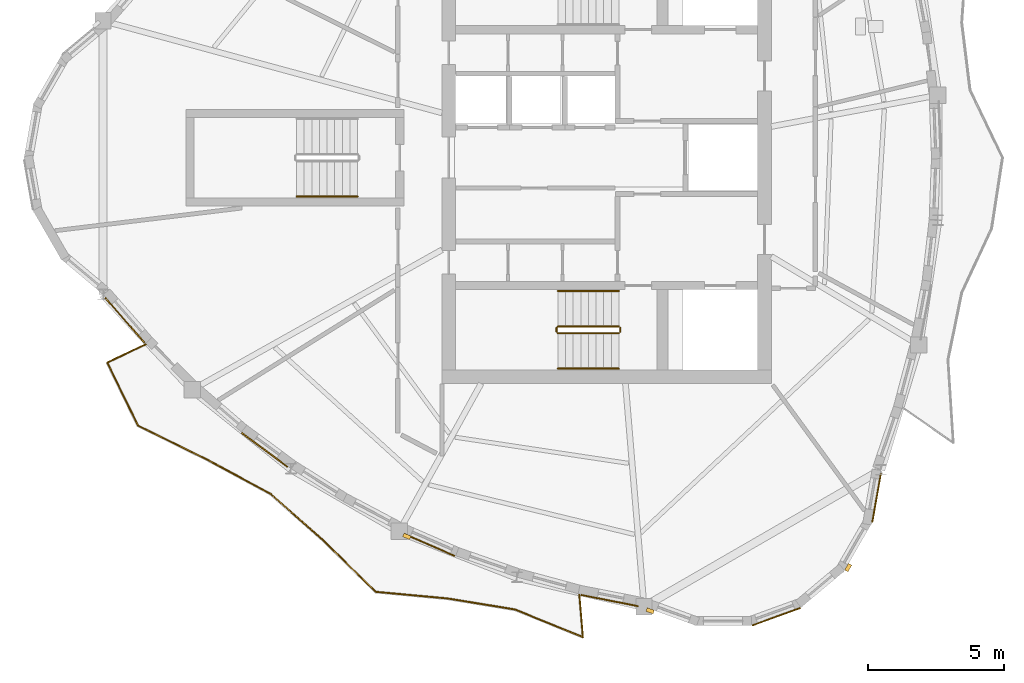
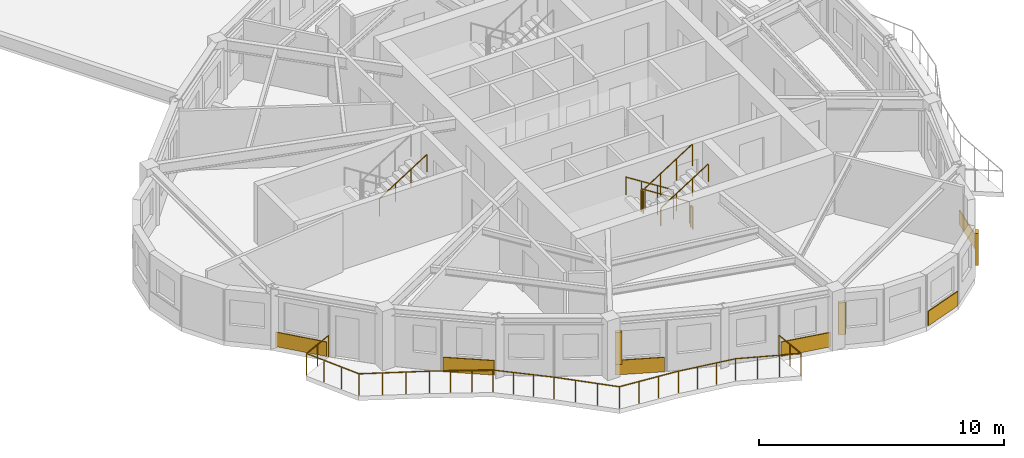
# One storey, part 8 of 11: 8 railings, 6 coverings, 3 shading devices.
"""IFC4 building model written with IfcOpenShell, lengths in metres."""

from ifc_helpers import new_model, si_unit, direction, frame, origin, origin_2d, place, context, subcontext, project, spatial, rectangle, circle, extrude, source, transform, mapped, material, layer, layer_set, type_object, element, save


model = new_model("IFC4")

# Units and contexts
model_context = context("Model", 3, precision=1e-05, world=origin(), true_north=direction((0.0, 1.0)))
body_context = subcontext(model_context, "Body", "Model", "MODEL_VIEW")
ifc_project = project(units=[si_unit("LENGTHUNIT", "METRE"), si_unit("AREAUNIT", "SQUARE_METRE"), si_unit("VOLUMEUNIT", "CUBIC_METRE"), si_unit("PLANEANGLEUNIT", "RADIAN"), si_unit("MASSUNIT", "GRAM", prefix="KILO")], contexts=[model_context])

# Site, building, storey
site_placement = place(None, origin())
site = spatial("IfcSite", under=ifc_project, at=site_placement, CompositionType="ELEMENT")
building_placement = place(site_placement, origin())
building = spatial("IfcBuilding", under=site, at=building_placement, Name="Qafzar Sky-Pleat Residences", CompositionType="ELEMENT")
storey_placement = place(building_placement, frame((0.0, 0.0, 214.800048828125)))
storey = spatial("IfcBuildingStorey", under=building, at=storey_placement, Name="L64", CompositionType="ELEMENT", Elevation=214.800048828125)

# Shading devices
ifc_material_1 = material(Name="Honed Riyadh limestone solar fin", Category="masonry")
ifc_layer_1 = layer(ifc_material_1, 0.139892578125)
ifc_layer_set_1 = layer_set([ifc_layer_1], Name="Honed Riyadh limestone solar fin")
shading_device_type = type_object("IfcShadingDeviceType", Name="SHD-FIN-STONE", PredefinedType="SHUTTER", material=ifc_layer_set_1)
shared_shape_1 = source(origin(), body_context, "Body", "SweptSolid", [
    extrude(rectangle(XDim=0.139892578125, YDim=0.280029296875, at=origin_2d()), origin(), (0.0, 0.0, 1.0), 1.60009765625),
])
for number, where, z_axis, x_axis, name in (
    (1, (23.0087890625, 12.0869140625, 0.599853515625), (0.0, 0.0, 1.0), (-0.398726111415, -0.917070056253, 0.0), "L64 Limestone Solar Fin 13"),
    (2, (31.947998046875, 9.351806640625, 0.599853515625), (0.0, 0.0, 1.0), (-0.342010122116, -0.939696268148, 0.0), "L64 Limestone Solar Fin 17"),
    (3, (39.225341796875, 10.939453125, 0.599853515625), (0.0, 0.0, 1.0), (0.86603181203, -0.499988900429, 0.0), "L64 Limestone Solar Fin 21"),
):
    element("IfcShadingDevice", number, at=place(storey_placement, frame(where, z_axis=z_axis, x_axis=x_axis)), inside=storey, type_object=shading_device_type, Name=name, PredefinedType="SHUTTER", context=body_context, shape_type="MappedRepresentation", body=[
        mapped(shared_shape_1, transform((0.0, 0.0, 0.0), x_axis=(1.0, 0.0, 0.0), y_axis=(0.0, 1.0, 0.0), z_axis=(0.0, 0.0, 1.0), scale=1.0)),
    ])

# Coverings
ifc_material_2 = material(Name="Honed Riyadh Tuwaiq limestone cladding", Category="masonry")
ifc_layer_2 = layer(ifc_material_2, 0.044921875)
ifc_layer_set_2 = layer_set([ifc_layer_2], Name="Honed Riyadh Tuwaiq limestone cladding")
covering_type = type_object("IfcCoveringType", Name="COV-CLAD-STONE", PredefinedType="CLADDING", material=ifc_layer_set_2)
shared_shape_2 = source(origin(), body_context, "Body", "SweptSolid", [
    extrude(rectangle(XDim=1.8291015625, YDim=0.044921875, at=origin_2d()), origin(), (0.0, 0.0, 1.0), 0.719970703125),
])
covering_1_placement = place(storey_placement, frame((40.2666015625, 13.5009765625, 0.02001953125), z_axis=(0.0, 0.0, 1.0), x_axis=(0.173687091871, 0.984800890595, 0.0)))
element("IfcCovering", 4, at=covering_1_placement, inside=storey, type_object=covering_type, Name="L64 Riyadh Limestone Spandrel Cladding 22", PredefinedType="CLADDING", context=body_context, shape_type="MappedRepresentation", body=[
    mapped(shared_shape_2, transform((0.0, 0.0, 0.0), x_axis=(1.0, 0.0, 0.0), y_axis=(0.0, 1.0, 0.0), z_axis=(0.0, 0.0, 1.0), scale=1.0)),
])
shared_shape_3 = source(origin(), body_context, "Body", "SweptSolid", [
    extrude(rectangle(XDim=1.881103515625, YDim=0.044921875, at=origin_2d()), origin(), (0.0, 0.0, 1.0), 0.719970703125),
])
covering_2_placement = place(storey_placement, frame((36.586181640625, 9.13720703125, 0.02001953125), z_axis=(0.0, 0.0, 1.0), x_axis=(0.939709584691, 0.341973531784, 0.0)))
element("IfcCovering", 5, at=covering_2_placement, inside=storey, type_object=covering_type, Name="L64 Riyadh Limestone Spandrel Cladding 19", PredefinedType="CLADDING", context=body_context, shape_type="MappedRepresentation", body=[
    mapped(shared_shape_3, transform((0.0, 0.0, 0.0), x_axis=(1.0, 0.0, 0.0), y_axis=(0.0, 1.0, 0.0), z_axis=(0.0, 0.0, 1.0), scale=1.0)),
])
shared_shape_4 = source(origin(), body_context, "Body", "SweptSolid", [
    extrude(rectangle(XDim=2.135986328125, YDim=0.044921875, at=origin_2d()), origin(), (0.0, 0.0, 1.0), 0.719970703125),
])
covering_3_placement = place(storey_placement, frame((30.468017578125, 9.726806640625, 0.02001953125), z_axis=(0.0, 0.0, 1.0), x_axis=(0.981228323403, -0.192849623678, 0.0)))
element("IfcCovering", 6, at=covering_3_placement, inside=storey, type_object=covering_type, Name="L64 Riyadh Limestone Spandrel Cladding 16", PredefinedType="CLADDING", context=body_context, shape_type="MappedRepresentation", body=[
    mapped(shared_shape_4, transform((0.0, 0.0, 0.0), x_axis=(1.0, 0.0, 0.0), y_axis=(0.0, 1.0, 0.0), z_axis=(0.0, 0.0, 1.0), scale=1.0)),
])

# Railing
ifc_material_3 = material(Name="Laminated glass and bronze steel balustrade", Category="steel")
railing_type_1 = type_object("IfcRailingType", Name="RAIL-BAL-1100", PredefinedType="BALUSTRADE", material=ifc_material_3)
shared_shape_5 = source(origin(), body_context, "Body", "SweptSolid", [
    extrude(circle(Radius=0.02392578125, at=origin_2d()), frame((0.0, 0.0, 1.076171875), z_axis=(-0.904790644591, -0.425856653654, 0.0), x_axis=(0.425856653654, -0.904790644591, 0.0)), (0.0, 0.0, 1.0), 1.57763671875),
    extrude(circle(Radius=0.02392578125, at=origin_2d()), frame((-1.427490234375, -0.671875, 1.076171875), z_axis=(0.437455374248, -0.899240121181, 0.0), x_axis=(0.899240121181, 0.437455374248, 0.0)), (0.0, 0.0, 1.0), 2.578857421875),
    extrude(circle(Radius=0.02392578125, at=origin_2d()), frame((-0.29931640625, -2.990966796875, 1.076171875), z_axis=(0.897107090323, -0.441813160162, 0.0), x_axis=(0.441813160162, 0.897107090323, 0.0)), (0.0, 0.0, 1.0), 2.879638671875),
    extrude(circle(Radius=0.02392578125, at=origin_2d()), frame((2.283935546875, -4.26318359375, 1.076171875), z_axis=(0.880344319941, -0.474335196193, 0.0), x_axis=(0.474335196193, 0.880344319941, 0.0)), (0.0, 0.0, 1.0), 2.59765625),
    extrude(circle(Radius=0.02392578125, at=origin_2d()), frame((4.57080078125, -5.495361328125, 1.076171875), z_axis=(0.749725239558, -0.661749246445, 0.0), x_axis=(0.661749246445, 0.749725239558, 0.0)), (0.0, 0.0, 1.0), 2.53076171875),
    extrude(circle(Radius=0.02392578125, at=origin_2d()), frame((6.46826171875, -7.170166015625, 1.076171875), z_axis=(0.714863884807, -0.6992636314, 0.0), x_axis=(0.6992636314, 0.714863884807, 0.0)), (0.0, 0.0, 1.0), 2.75439453125),
    extrude(circle(Radius=0.02392578125, at=origin_2d()), frame((8.437255859375, -9.09619140625, 1.076171875), z_axis=(0.995744742479, -0.092154261023, 0.0), x_axis=(0.092154261023, 0.995744742479, 0.0)), (0.0, 0.0, 1.0), 2.65185546875),
    extrude(circle(Radius=0.02392578125, at=origin_2d()), frame((11.077880859375, -9.340576171875, 1.076171875), z_axis=(0.986916711973, -0.16123090159, 0.0), x_axis=(0.16123090159, 0.986916711973, 0.0)), (0.0, 0.0, 1.0), 2.5),
    extrude(circle(Radius=0.02392578125, at=origin_2d()), frame((13.545166015625, -9.74365234375, 1.076171875), z_axis=(0.926402453337, -0.376534851576, 0.0), x_axis=(0.376534851576, 0.926402453337, 0.0)), (0.0, 0.0, 1.0), 2.697265625),
    extrude(circle(Radius=0.02392578125, at=origin_2d()), frame((16.0439453125, -10.75927734375, 1.076171875), z_axis=(-0.083544817764, 0.996504020777, 0.0), x_axis=(-0.996504020777, -0.083544817764, 0.0)), (0.0, 0.0, 1.0), 1.578125),
    extrude(circle(Radius=0.02099609375, at=origin_2d()), origin(), (0.0, 0.0, 1.0), 1.052001953125),
    extrude(circle(Radius=0.02099609375, at=origin_2d()), frame((-0.7138671875, -0.3359375, 0.0)), (0.0, 0.0, 1.0), 1.052001953125),
    extrude(circle(Radius=0.02099609375, at=origin_2d()), frame((-1.427490234375, -0.671875, 0.0)), (0.0, 0.0, 1.0), 1.052001953125),
    extrude(circle(Radius=0.02099609375, at=origin_2d()), frame((-1.051513671875, -1.44482421875, 0.0)), (0.0, 0.0, 1.0), 1.052001953125),
    extrude(circle(Radius=0.02099609375, at=origin_2d()), frame((-0.67529296875, -2.218017578125, 0.0)), (0.0, 0.0, 1.0), 1.052001953125),
    extrude(circle(Radius=0.02099609375, at=origin_2d()), frame((-0.29931640625, -2.990966796875, 0.0)), (0.0, 0.0, 1.0), 1.052001953125),
    extrude(circle(Radius=0.02099609375, at=origin_2d()), frame((0.561767578125, -3.4150390625, 0.0)), (0.0, 0.0, 1.0), 1.052001953125),
    extrude(circle(Radius=0.02099609375, at=origin_2d()), frame((1.4228515625, -3.839111328125, 0.0)), (0.0, 0.0, 1.0), 1.052001953125),
    extrude(circle(Radius=0.02099609375, at=origin_2d()), frame((2.283935546875, -4.26318359375, 0.0)), (0.0, 0.0, 1.0), 1.052001953125),
    extrude(circle(Radius=0.02099609375, at=origin_2d()), frame((3.046142578125, -4.673828125, 0.0)), (0.0, 0.0, 1.0), 1.052001953125),
    extrude(circle(Radius=0.02099609375, at=origin_2d()), frame((3.80859375, -5.084716796875, 0.0)), (0.0, 0.0, 1.0), 1.052001953125),
    extrude(circle(Radius=0.02099609375, at=origin_2d()), frame((4.57080078125, -5.495361328125, 0.0)), (0.0, 0.0, 1.0), 1.052001953125),
    extrude(circle(Radius=0.02099609375, at=origin_2d()), frame((5.203369140625, -6.0537109375, 0.0)), (0.0, 0.0, 1.0), 1.052001953125),
    extrude(circle(Radius=0.02099609375, at=origin_2d()), frame((5.835693359375, -6.61181640625, 0.0)), (0.0, 0.0, 1.0), 1.052001953125),
    extrude(circle(Radius=0.02099609375, at=origin_2d()), frame((6.46826171875, -7.170166015625, 0.0)), (0.0, 0.0, 1.0), 1.052001953125),
    extrude(circle(Radius=0.02099609375, at=origin_2d()), frame((7.12451171875, -7.812255859375, 0.0)), (0.0, 0.0, 1.0), 1.052001953125),
    extrude(circle(Radius=0.02099609375, at=origin_2d()), frame((7.781005859375, -8.4541015625, 0.0)), (0.0, 0.0, 1.0), 1.052001953125),
    extrude(circle(Radius=0.02099609375, at=origin_2d()), frame((8.437255859375, -9.09619140625, 0.0)), (0.0, 0.0, 1.0), 1.052001953125),
    extrude(circle(Radius=0.02099609375, at=origin_2d()), frame((9.3173828125, -9.177734375, 0.0)), (0.0, 0.0, 1.0), 1.052001953125),
    extrude(circle(Radius=0.02099609375, at=origin_2d()), frame((10.19775390625, -9.259033203125, 0.0)), (0.0, 0.0, 1.0), 1.052001953125),
    extrude(circle(Radius=0.02099609375, at=origin_2d()), frame((11.077880859375, -9.340576171875, 0.0)), (0.0, 0.0, 1.0), 1.052001953125),
    extrude(circle(Radius=0.02099609375, at=origin_2d()), frame((11.900390625, -9.474853515625, 0.0)), (0.0, 0.0, 1.0), 1.052001953125),
    extrude(circle(Radius=0.02099609375, at=origin_2d()), frame((12.72265625, -9.609375, 0.0)), (0.0, 0.0, 1.0), 1.052001953125),
    extrude(circle(Radius=0.02099609375, at=origin_2d()), frame((13.545166015625, -9.74365234375, 0.0)), (0.0, 0.0, 1.0), 1.052001953125),
    extrude(circle(Radius=0.02099609375, at=origin_2d()), frame((14.378173828125, -10.082275390625, 0.0)), (0.0, 0.0, 1.0), 1.052001953125),
    extrude(circle(Radius=0.02099609375, at=origin_2d()), frame((15.2109375, -10.420654296875, 0.0)), (0.0, 0.0, 1.0), 1.052001953125),
    extrude(circle(Radius=0.02099609375, at=origin_2d()), frame((16.0439453125, -10.75927734375, 0.0)), (0.0, 0.0, 1.0), 1.052001953125),
    extrude(circle(Radius=0.02099609375, at=origin_2d()), frame((15.97802734375, -9.97314453125, 0.0)), (0.0, 0.0, 1.0), 1.052001953125),
    extrude(circle(Radius=0.02099609375, at=origin_2d()), frame((15.912109375, -9.186767578125, 0.0)), (0.0, 0.0, 1.0), 1.052001953125),
])
railing_1_placement = place(storey_placement, frame((13.43408203125, 19.144775390625, 0.0)))
element("IfcRailing", 7, at=railing_1_placement, inside=storey, type_object=railing_type_1, Name="L64 Pleated Balcony 2 Balustrade", PredefinedType="BALUSTRADE", context=body_context, shape_type="MappedRepresentation", body=[
    mapped(shared_shape_5, transform((0.0, 0.0, 0.0), x_axis=(1.0, 0.0, 0.0), y_axis=(0.0, 1.0, 0.0), z_axis=(0.0, 0.0, 1.0), scale=1.0)),
])

# Coverings
shared_shape_6 = source(origin(), body_context, "Body", "SweptSolid", [
    extrude(rectangle(XDim=2.19921875, YDim=0.044921875, at=origin_2d()), origin(), (0.0, 0.0, 1.0), 0.719970703125),
])
covering_4_placement = place(storey_placement, frame((12.64990234375, 20.027099609375, 0.02001953125), z_axis=(0.0, 0.0, 1.0), x_axis=(0.657603089967, -0.753364570487, 0.0)))
element("IfcCovering", 8, at=covering_4_placement, inside=storey, type_object=covering_type, Name="L64 Riyadh Limestone Spandrel Cladding 7", PredefinedType="CLADDING", context=body_context, shape_type="MappedRepresentation", body=[
    mapped(shared_shape_6, transform((0.0, 0.0, 0.0), x_axis=(1.0, 0.0, 0.0), y_axis=(0.0, 1.0, 0.0), z_axis=(0.0, 0.0, 1.0), scale=1.0)),
])
shared_shape_7 = source(origin(), body_context, "Body", "SweptSolid", [
    extrude(rectangle(XDim=2.09521484375, YDim=0.044921875, at=origin_2d()), origin(), (0.0, 0.0, 1.0), 0.719970703125),
])
covering_5_placement = place(storey_placement, frame((17.788818359375, 15.260986328125, 0.02001953125), z_axis=(0.0, 0.0, 1.0), x_axis=(0.803818893244, -0.594874093287, 0.0)))
element("IfcCovering", 9, at=covering_5_placement, inside=storey, type_object=covering_type, Name="L64 Riyadh Limestone Spandrel Cladding 10", PredefinedType="CLADDING", context=body_context, shape_type="MappedRepresentation", body=[
    mapped(shared_shape_7, transform((0.0, 0.0, 0.0), x_axis=(1.0, 0.0, 0.0), y_axis=(0.0, 1.0, 0.0), z_axis=(0.0, 0.0, 1.0), scale=1.0)),
])
shared_shape_8 = source(origin(), body_context, "Body", "SweptSolid", [
    extrude(rectangle(XDim=2.031982421875, YDim=0.044921875, at=origin_2d()), origin(), (0.0, 0.0, 1.0), 0.719970703125),
])
covering_6_placement = place(storey_placement, frame((23.83740234375, 11.7734375, 0.02001953125), z_axis=(0.0, 0.0, 1.0), x_axis=(0.91707991396, -0.398703437923, 0.0)))
element("IfcCovering", 10, at=covering_6_placement, inside=storey, type_object=covering_type, Name="L64 Riyadh Limestone Spandrel Cladding 13", PredefinedType="CLADDING", context=body_context, shape_type="MappedRepresentation", body=[
    mapped(shared_shape_8, transform((0.0, 0.0, 0.0), x_axis=(1.0, 0.0, 0.0), y_axis=(0.0, 1.0, 0.0), z_axis=(0.0, 0.0, 1.0), scale=1.0)),
])

# Railings
ifc_material_4 = material(Name="Painted Steel S355 stair guardrail", Category="steel")
railing_type_2 = type_object("IfcRailingType", Name="RAIL-STAIR-GUARD", PredefinedType="GUARDRAIL", material=ifc_material_4)
shared_shape_9 = source(origin(), body_context, "Body", "SweptSolid", [
    extrude(circle(Radius=0.02392578125, at=origin_2d()), frame((0.0, 0.0, 1.076171875), z_axis=(0.0, -1.0, 0.0), x_axis=(1.0, 0.0, 0.0)), (0.0, 0.0, 1.0), 0.14990234375),
    extrude(circle(Radius=0.02099609375, at=origin_2d()), origin(), (0.0, 0.0, 1.0), 1.052001953125),
    extrude(circle(Radius=0.02099609375, at=origin_2d()), frame((0.0, -0.14990234375, 0.0)), (0.0, 0.0, 1.0), 1.052001953125),
])
for number, where, name in (
    (11, (28.510009765625, 19.75, 1.599853515625), "L64 ST1 stair guard 2"),
    (12, (30.85009765625, 19.75, 0.0), "L64 ST1 stair guard 4"),
):
    element("IfcRailing", number, at=place(storey_placement, frame(where)), inside=storey, type_object=railing_type_2, Name=name, PredefinedType="GUARDRAIL", context=body_context, shape_type="MappedRepresentation", body=[
        mapped(shared_shape_9, transform((0.0, 0.0, 0.0), x_axis=(1.0, 0.0, 0.0), y_axis=(0.0, 1.0, 0.0), z_axis=(0.0, 0.0, 1.0), scale=1.0)),
    ])
shared_shape_10 = source(origin(), body_context, "Body", "SweptSolid", [
    extrude(circle(Radius=0.02392578125, at=origin_2d()), frame((0.0, 0.0, 1.076171875), z_axis=(-0.8442293374, 0.0, 0.53598211339), x_axis=(0.0, -1.0, 0.0)), (0.0, 0.0, 1.0), 2.6533203125),
    extrude(circle(Radius=0.02099609375, at=origin_2d()), origin(), (0.0, 0.0, 1.0), 1.052001953125),
    extrude(circle(Radius=0.02099609375, at=origin_2d()), frame((-0.74658203125, 0.0, 0.47412109375)), (0.0, 0.0, 1.0), 1.052001953125),
    extrude(circle(Radius=0.02099609375, at=origin_2d()), frame((-1.493408203125, 0.0, 0.947998046875)), (0.0, 0.0, 1.0), 1.052001953125),
    extrude(circle(Radius=0.02099609375, at=origin_2d()), frame((-2.239990234375, 0.0, 1.422119140625)), (0.0, 0.0, 1.0), 1.052001953125),
])
railing_2_placement = place(storey_placement, frame((30.800048828125, 19.800048828125, 0.177734375)))
element("IfcRailing", 13, at=railing_2_placement, inside=storey, type_object=railing_type_2, Name="L64 ST1 stair guard 1", PredefinedType="GUARDRAIL", context=body_context, shape_type="MappedRepresentation", body=[
    mapped(shared_shape_10, transform((0.0, 0.0, 0.0), x_axis=(1.0, 0.0, 0.0), y_axis=(0.0, 1.0, 0.0), z_axis=(0.0, 0.0, 1.0), scale=1.0)),
])
shared_shape_11 = source(origin(), body_context, "Body", "SweptSolid", [
    extrude(circle(Radius=0.02392578125, at=origin_2d()), frame((0.0, 0.0, 1.076171875), z_axis=(0.8442293374, 0.0, 0.53598211339), x_axis=(0.0, 1.0, 0.0)), (0.0, 0.0, 1.0), 2.6533203125),
    extrude(circle(Radius=0.02099609375, at=origin_2d()), origin(), (0.0, 0.0, 1.0), 1.052001953125),
    extrude(circle(Radius=0.02099609375, at=origin_2d()), frame((0.74658203125, 0.0, 0.47412109375)), (0.0, 0.0, 1.0), 1.052001953125),
    extrude(circle(Radius=0.02099609375, at=origin_2d()), frame((1.493408203125, 0.0, 0.947998046875)), (0.0, 0.0, 1.0), 1.052001953125),
    extrude(circle(Radius=0.02099609375, at=origin_2d()), frame((2.239990234375, 0.0, 1.422119140625)), (0.0, 0.0, 1.0), 1.052001953125),
])
railing_3_placement = place(storey_placement, frame((28.56005859375, 19.550048828125, 1.77783203125)))
element("IfcRailing", 14, at=railing_3_placement, inside=storey, type_object=railing_type_2, Name="L64 ST1 stair guard 3", PredefinedType="GUARDRAIL", context=body_context, shape_type="MappedRepresentation", body=[
    mapped(shared_shape_11, transform((0.0, 0.0, 0.0), x_axis=(1.0, 0.0, 0.0), y_axis=(0.0, 1.0, 0.0), z_axis=(0.0, 0.0, 1.0), scale=1.0)),
])
ifc_material_5 = material(Name="Brushed stainless steel handrail", Category="steel")
railing_type_3 = type_object("IfcRailingType", Name="RAIL-STAIR-HAND", PredefinedType="HANDRAIL", material=ifc_material_5)
shared_shape_12 = source(origin(), body_context, "Body", "SweptSolid", [
    extrude(circle(Radius=0.02392578125, at=origin_2d()), frame((0.0, 0.0, 0.8759765625), z_axis=(-0.8442293374, 0.0, 0.53598211339), x_axis=(0.0, -1.0, 0.0)), (0.0, 0.0, 1.0), 2.6533203125),
    extrude(circle(Radius=0.02099609375, at=origin_2d()), origin(), (0.0, 0.0, 1.0), 0.851806640625),
    extrude(circle(Radius=0.02099609375, at=origin_2d()), frame((-0.74658203125, 0.0, 0.47412109375)), (0.0, 0.0, 1.0), 0.851806640625),
    extrude(circle(Radius=0.02099609375, at=origin_2d()), frame((-1.493408203125, 0.0, 0.947998046875)), (0.0, 0.0, 1.0), 0.851806640625),
    extrude(circle(Radius=0.02099609375, at=origin_2d()), frame((-2.239990234375, 0.0, 1.422119140625)), (0.0, 0.0, 1.0), 0.851806640625),
])
railing_4_placement = place(storey_placement, frame((30.800048828125, 21.10009765625, 0.177734375)))
element("IfcRailing", 15, at=railing_4_placement, inside=storey, type_object=railing_type_3, Name="L64 ST1 stair handrail 1", PredefinedType="HANDRAIL", context=body_context, shape_type="MappedRepresentation", body=[
    mapped(shared_shape_12, transform((0.0, 0.0, 0.0), x_axis=(1.0, 0.0, 0.0), y_axis=(0.0, 1.0, 0.0), z_axis=(0.0, 0.0, 1.0), scale=1.0)),
])
shared_shape_13 = source(origin(), body_context, "Body", "SweptSolid", [
    extrude(circle(Radius=0.02392578125, at=origin_2d()), frame((0.0, 0.0, 0.8759765625), z_axis=(0.8442293374, 0.0, 0.53598211339), x_axis=(0.0, 1.0, 0.0)), (0.0, 0.0, 1.0), 2.6533203125),
    extrude(circle(Radius=0.02099609375, at=origin_2d()), origin(), (0.0, 0.0, 1.0), 0.851806640625),
    extrude(circle(Radius=0.02099609375, at=origin_2d()), frame((0.74658203125, 0.0, 0.47412109375)), (0.0, 0.0, 1.0), 0.851806640625),
    extrude(circle(Radius=0.02099609375, at=origin_2d()), frame((1.493408203125, 0.0, 0.947998046875)), (0.0, 0.0, 1.0), 0.851806640625),
    extrude(circle(Radius=0.02099609375, at=origin_2d()), frame((2.239990234375, 0.0, 1.422119140625)), (0.0, 0.0, 1.0), 0.851806640625),
])
for number, where, name in (
    (16, (28.56005859375, 18.25, 1.77783203125), "L64 ST1 stair handrail 2"),
    (17, (18.9599609375, 24.574951171875, 1.77783203125), "L64 ST3 stair handrail 2"),
):
    element("IfcRailing", number, at=place(storey_placement, frame(where)), inside=storey, type_object=railing_type_3, Name=name, PredefinedType="HANDRAIL", context=body_context, shape_type="MappedRepresentation", body=[
        mapped(shared_shape_13, transform((0.0, 0.0, 0.0), x_axis=(1.0, 0.0, 0.0), y_axis=(0.0, 1.0, 0.0), z_axis=(0.0, 0.0, 1.0), scale=1.0)),
    ])

save(model, "model.ifc")
